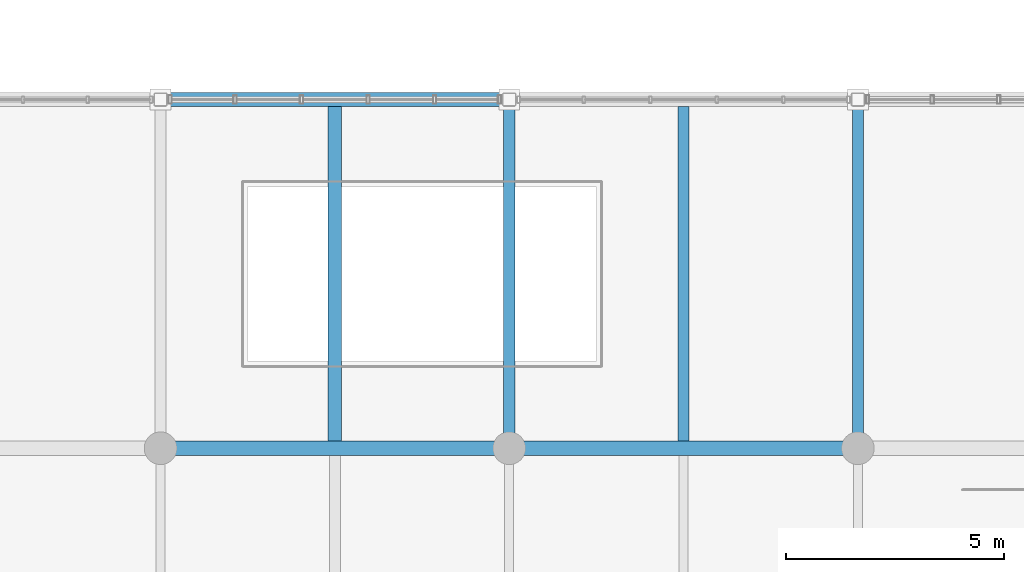
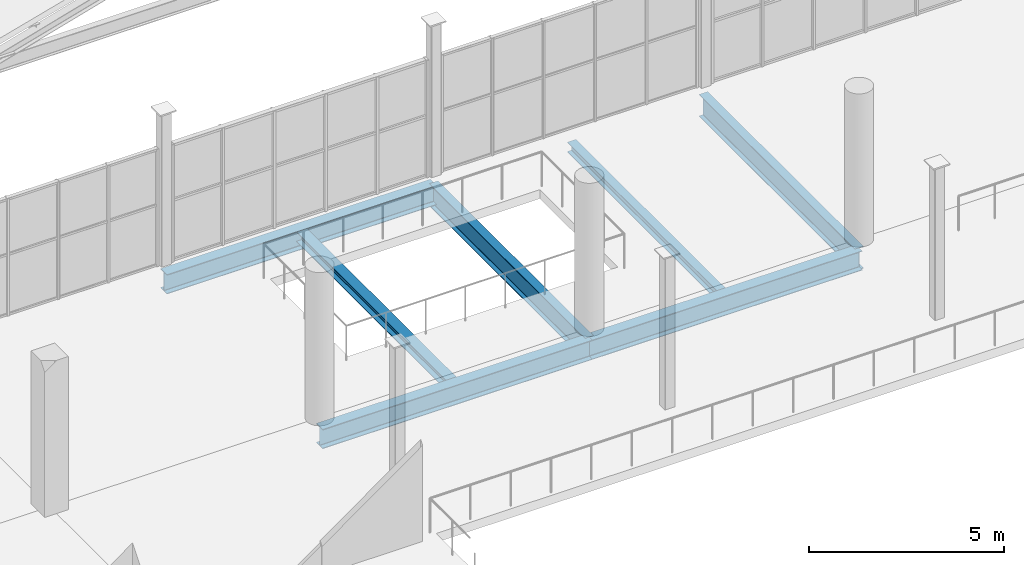
# One storey, part 23 of 114: 7 beams.
"""IFC4 building model written with IfcOpenShell, lengths in metres."""

from ifc_helpers import new_model, si_unit, direction, frame, origin, origin_2d, place, context, subcontext, project, spatial, i_section, extrude, material, material_profile, profile_set, type_object, element, save


model = new_model("IFC4")

# Units and contexts
model_context = context("Model", 3, precision=1e-05, world=origin(), true_north=direction((0.0, 1.0)))
body_context = subcontext(model_context, "Body", "Model", "MODEL_VIEW")
ifc_project = project(units=[si_unit("LENGTHUNIT", "METRE"), si_unit("AREAUNIT", "SQUARE_METRE"), si_unit("VOLUMEUNIT", "CUBIC_METRE"), si_unit("PLANEANGLEUNIT", "RADIAN"), si_unit("MASSUNIT", "GRAM", prefix="KILO")], contexts=[model_context])

# Site, building, storey
site_placement = place(None, origin())
site = spatial("IfcSite", under=ifc_project, at=site_placement, CompositionType="ELEMENT")
building_placement = place(site_placement, origin())
building = spatial("IfcBuilding", under=site, at=building_placement, Name="Verrall Gate Interchange", CompositionType="ELEMENT")
storey_placement = place(building_placement, frame((0.0, 0.0, 6.60009765625)))
storey = spatial("IfcBuildingStorey", under=building, at=storey_placement, Name="L02", CompositionType="ELEMENT", Elevation=6.60009765625)

# Beams
ifc_material_1 = material(Name="Structural Steel CSA G40.21 350WT Cat 4", Category="steel")
ifc_material_profile_1 = material_profile(ifc_material_1, i_section(OverallWidth=0.256103515625, OverallDepth=0.693115234375, WebThickness=0.01318359375, FlangeThickness=0.02001953125, FilletRadius=0.01611328125, at=origin_2d()), Name="W690x170")
ifc_profile_set_1 = profile_set([ifc_material_profile_1], Name="Structural Steel CSA G40.21 350WT Cat 4")
beam_type_1 = type_object("IfcBeamType", Name="B-07 Structural Beam W690x170", PredefinedType="BEAM", material=ifc_profile_set_1)
for number, where, z_axis, x_axis, name in (
    (1, (52.0, 48.0, -0.626708984375), (0.0, 1.0, 0.0), (-1.0, 0.0, 0.0), "L02 Girder BM-L02-1741 (B-07)"),
    (2, (60.0, 48.0, -0.626708984375), (0.0, 1.0, 0.0), (-1.0, 0.0, 0.0), "L02 Girder BM-L02-1746 (B-07)"),
):
    element("IfcBeam", number, at=place(storey_placement, frame(where, z_axis=z_axis, x_axis=x_axis)), inside=storey, type_object=beam_type_1, Name=name, PredefinedType="BEAM", context=body_context, shape_type="SweptSolid", body=[
        extrude(i_section(OverallWidth=0.256103515625, OverallDepth=0.693115234375, WebThickness=0.01318359375, FlangeThickness=0.02001953125, FilletRadius=0.01611328125, at=origin_2d()), origin(), (0.0, 0.0, 1.0), 8.0),
    ])
ifc_material_2 = material(Name="Structural Steel CSA G40.21 350WT Cat 4", Category="steel")
ifc_material_profile_2 = material_profile(ifc_material_2, i_section(OverallWidth=0.323974609375, OverallDepth=0.611083984375, WebThickness=0.0126953125, FlangeThickness=0.01904296875, FilletRadius=0.014892578125, at=origin_2d()), Name="W610x155")
ifc_profile_set_2 = profile_set([ifc_material_profile_2], Name="Structural Steel CSA G40.21 350WT Cat 4")
beam_type_2 = type_object("IfcBeamType", Name="B-08 Structural Beam W610x155", PredefinedType="BEAM", material=ifc_profile_set_2)
for number, where, z_axis, x_axis, name in (
    (3, (44.0, 48.0, -0.585693359375), (1.0, 0.0, 0.0), (0.0, 1.0, 0.0), "L02 Girder BM-L02-1571 (B-08)"),
    (4, (52.0, 48.0, -0.585693359375), (1.0, 0.0, 0.0), (0.0, 1.0, 0.0), "L02 Girder BM-L02-1572 (B-08)"),
    (5, (44.0, 56.0, -0.585693359375), (1.0, 0.0, 0.0), (0.0, 1.0, 0.0), "L02 Girder BM-L02-1593 (B-08)"),
):
    element("IfcBeam", number, at=place(storey_placement, frame(where, z_axis=z_axis, x_axis=x_axis)), inside=storey, type_object=beam_type_2, Name=name, PredefinedType="BEAM", context=body_context, shape_type="SweptSolid", body=[
        extrude(i_section(OverallWidth=0.323974609375, OverallDepth=0.611083984375, WebThickness=0.0126953125, FlangeThickness=0.01904296875, FilletRadius=0.014892578125, at=origin_2d()), origin(), (0.0, 0.0, 1.0), 8.0),
    ])
ifc_material_3 = material(Name="Structural Steel CSA G40.21 350W", Category="steel")
ifc_material_profile_3 = material_profile(ifc_material_3, i_section(OverallWidth=0.306884765625, OverallDepth=0.31396484375, WebThickness=0.011962890625, FlangeThickness=0.018798828125, FilletRadius=0.013916015625, at=origin_2d()), Name="W310x118")
ifc_profile_set_3 = profile_set([ifc_material_profile_3], Name="Structural Steel CSA G40.21 350W")
beam_type_3 = type_object("IfcBeamType", Name="J-02 Floor Joist W310x118", PredefinedType="JOIST", material=ifc_profile_set_3)
beam_1_placement = place(storey_placement, frame((48.0, 48.162109375, -0.43701171875), z_axis=(0.0, 1.0, 0.0), x_axis=(-1.0, 0.0, 0.0)))
element("IfcBeam", 6, at=beam_1_placement, inside=storey, type_object=beam_type_3, Name="L02 Secondary Floor Joist JST-L02-1944", PredefinedType="JOIST", context=body_context, shape_type="SweptSolid", body=[
    extrude(i_section(OverallWidth=0.306884765625, OverallDepth=0.31396484375, WebThickness=0.011962890625, FlangeThickness=0.018798828125, FilletRadius=0.013916015625, at=origin_2d()), origin(), (0.0, 0.0, 1.0), 7.67578125),
])
ifc_material_4 = material(Name="Structural Steel CSA G40.21 350W", Category="steel")
ifc_material_profile_4 = material_profile(ifc_material_4, i_section(OverallWidth=0.25390625, OverallDepth=0.305908203125, WebThickness=0.0087890625, FlangeThickness=0.0146484375, FilletRadius=0.012939453125, at=origin_2d()), Name="W310x79")
ifc_profile_set_4 = profile_set([ifc_material_profile_4], Name="Structural Steel CSA G40.21 350W")
beam_type_4 = type_object("IfcBeamType", Name="J-03 Floor Joist W310x79", PredefinedType="JOIST", material=ifc_profile_set_4)
beam_2_placement = place(storey_placement, frame((56.0, 48.162109375, -0.43310546875), z_axis=(0.0, 1.0, 0.0), x_axis=(-1.0, 0.0, 0.0)))
element("IfcBeam", 7, at=beam_2_placement, inside=storey, type_object=beam_type_4, Name="L02 Secondary Floor Joist JST-L02-1945", PredefinedType="JOIST", context=body_context, shape_type="SweptSolid", body=[
    extrude(i_section(OverallWidth=0.25390625, OverallDepth=0.305908203125, WebThickness=0.0087890625, FlangeThickness=0.0146484375, FilletRadius=0.012939453125, at=origin_2d()), origin(), (0.0, 0.0, 1.0), 7.67578125),
])

save(model, "model.ifc")
